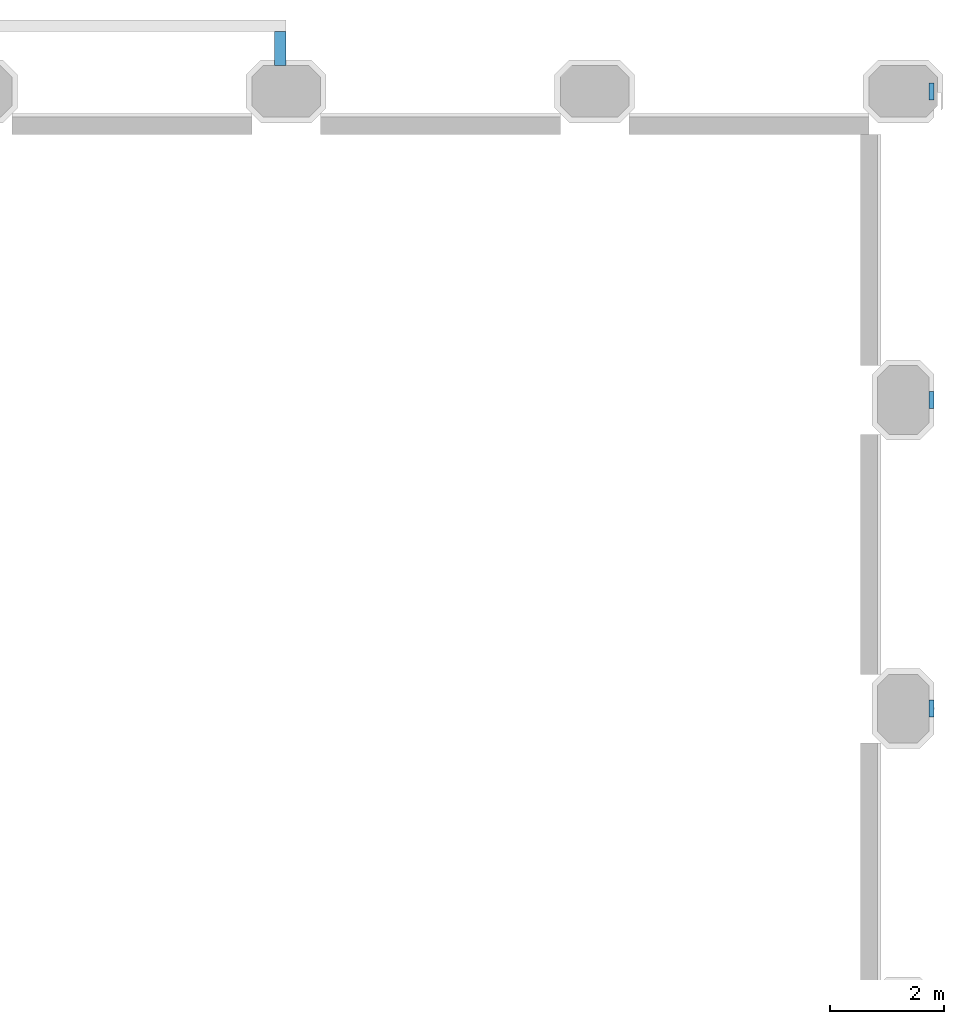
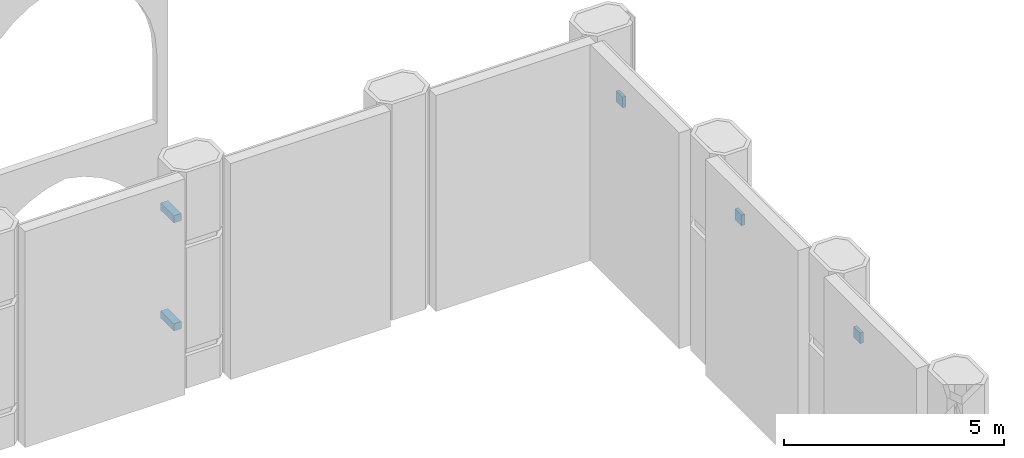
# One storey, part 22 of 34: 5 discrete accessories.
"""IFC4 building model written with IfcOpenShell, lengths in metres."""

from ifc_helpers import new_model, si_unit, direction, frame, origin, origin_2d, place, context, subcontext, project, spatial, rectangle, extrude, element, save


model = new_model("IFC4")

# Units and contexts
model_context = context("Model", 3, precision=1e-05, world=origin(), true_north=direction((0.0, 1.0)))
body_context = subcontext(model_context, "Body", "Model", "MODEL_VIEW")
ifc_project = project(units=[si_unit("LENGTHUNIT", "METRE"), si_unit("AREAUNIT", "SQUARE_METRE"), si_unit("VOLUMEUNIT", "CUBIC_METRE"), si_unit("PLANEANGLEUNIT", "RADIAN"), si_unit("MASSUNIT", "GRAM", prefix="KILO")], contexts=[model_context])

# Site, building, storey
site_placement = place(None, origin())
site = spatial("IfcSite", under=ifc_project, at=site_placement, CompositionType="ELEMENT")
building_placement = place(site_placement, origin())
building = spatial("IfcBuilding", under=site, at=building_placement, Name="Tabaq Tower and Sports Hall", CompositionType="ELEMENT")
storey_placement = place(building_placement, frame((0.0, 0.0, 8.39990234375)))
storey = spatial("IfcBuildingStorey", under=building, at=storey_placement, Name="L01", CompositionType="ELEMENT", Elevation=8.39990234375)

# Discrete accessories
for number, where, z_axis, x_axis, name in (
    (1, (124.695068359375, 32.39990234375, 3.4501953125), (0.0, 0.0, 1.0), (1.0, 0.0, 0.0), "Screen bracket 06-2"),
    (2, (124.695068359375, 37.800048828125, 3.4501953125), (0.0, 0.0, 1.0), (1.0, 0.0, 0.0), "Screen bracket 07-2"),
    (3, (124.695068359375, 43.199951171875, 3.4501953125), (0.0, 0.0, 1.0), (1.0, 0.0, 0.0), "Screen bracket 08-2"),
):
    element("IfcDiscreteAccessory", number, at=place(storey_placement, frame(where, z_axis=z_axis, x_axis=x_axis)), inside=storey, Name=name, PredefinedType="NOTDEFINED", context=body_context, shape_type="SweptSolid", body=[
        extrude(rectangle(XDim=0.090087890625, YDim=0.300048828125, at=origin_2d()), origin(), (0.0, 0.0, 1.0), 0.300048828125),
    ])
for number, where, z_axis, x_axis, name in (
    (4, (113.300048828125, 43.949951171875, 0.89990234375), (0.0, 0.0, 1.0), (1.0, 0.0, 0.0), "Stainless steel bracket"),
    (5, (113.300048828125, 43.949951171875, 3.89990234375), (0.0, 0.0, 1.0), (1.0, 0.0, 0.0), "Stainless steel bracket"),
):
    element("IfcDiscreteAccessory", number, at=place(storey_placement, frame(where, z_axis=z_axis, x_axis=x_axis)), inside=storey, Name=name, PredefinedType="BRACKET", context=body_context, shape_type="SweptSolid", body=[
        extrude(rectangle(XDim=0.199951171875, YDim=0.60009765625, at=origin_2d()), origin(), (0.0, 0.0, 1.0), 0.199951171875),
    ])

save(model, "model.ifc")
